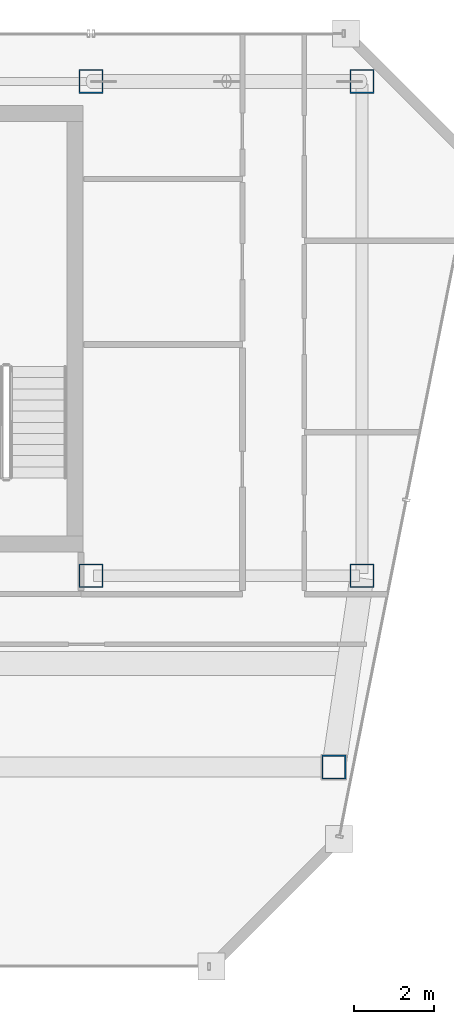
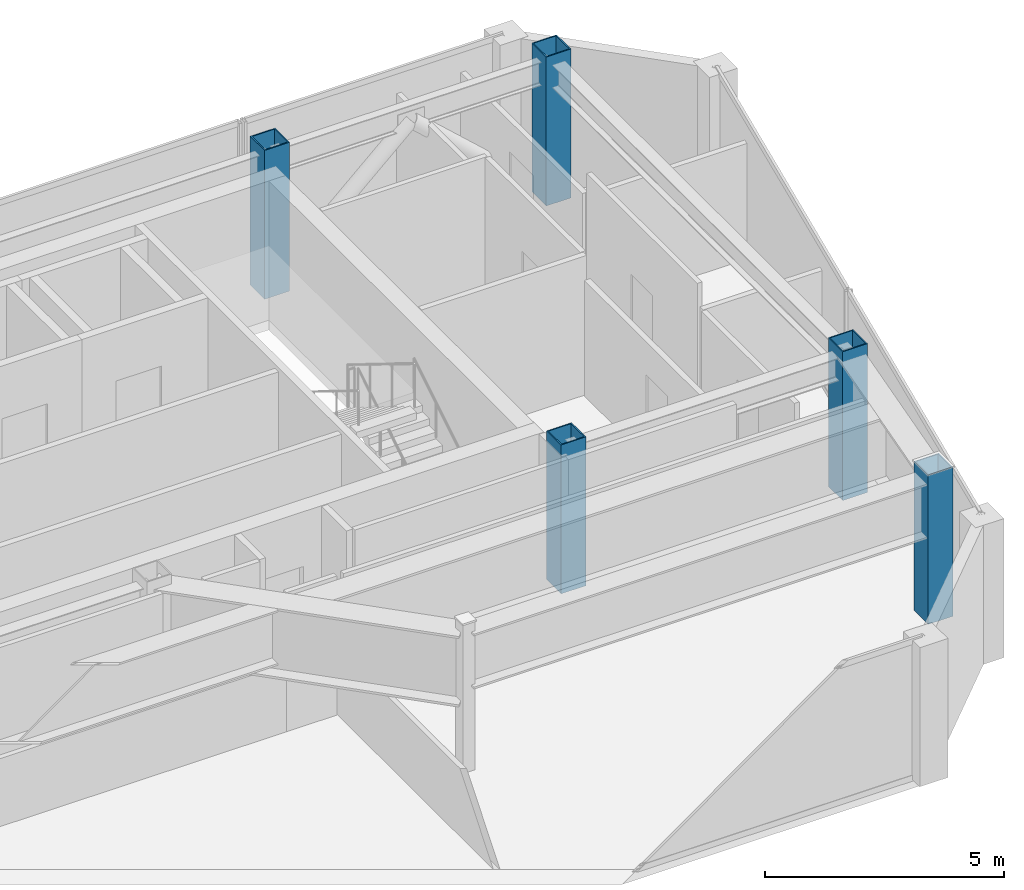
# One storey, part 2 of 24: 5 columns.
"""IFC4 building model written with IfcOpenShell, lengths in metres."""

from ifc_helpers import new_model, si_unit, direction, frame, origin, origin_2d, place, context, subcontext, project, spatial, hollow_rectangle, extrude, material, material_profile, profile_set, type_object, element, save


model = new_model("IFC4")

# Units and contexts
model_context = context("Model", 3, precision=1e-05, world=origin(), true_north=direction((0.0, 1.0)))
body_context = subcontext(model_context, "Body", "Model", "MODEL_VIEW")
ifc_project = project(units=[si_unit("LENGTHUNIT", "METRE"), si_unit("AREAUNIT", "SQUARE_METRE"), si_unit("VOLUMEUNIT", "CUBIC_METRE"), si_unit("PLANEANGLEUNIT", "RADIAN"), si_unit("MASSUNIT", "GRAM", prefix="KILO")], contexts=[model_context])

# Site, building, storey
site_placement = place(None, origin())
site = spatial("IfcSite", under=ifc_project, at=site_placement, CompositionType="ELEMENT")
building_placement = place(site_placement, origin())
building = spatial("IfcBuilding", under=site, at=building_placement, Name="Saevonmaru Cultural Tower", CompositionType="ELEMENT")
storey_placement = place(building_placement, frame((0.0, 0.0, 306.60009765625)))
storey = spatial("IfcBuildingStorey", under=building, at=storey_placement, Name="L73", CompositionType="ELEMENT", Elevation=306.60009765625)

# Columns
ifc_material = material(Name="Steel SM355", Category="steel")
ifc_material_profile = material_profile(ifc_material, hollow_rectangle(XDim=0.60009765625, YDim=0.60009765625, WallThickness=0.028076171875, at=origin_2d()), Name="BOX-600x600x28")
ifc_profile_set = profile_set([ifc_material_profile], Name="Steel SM355")
column_type = type_object("IfcColumnType", Name="COL-BOX-600", PredefinedType="COLUMN", material=ifc_profile_set)
for number, where, z_axis, x_axis, name in (
    (1, (46.39990234375, 54.800048828125, 0.0), (0.0, 0.0, 1.0), (1.0, 0.0, 0.0), "L73 Column TC-N5N"),
    (2, (53.199951171875, 54.800048828125, 0.0), (0.0, 0.0, 1.0), (1.0, 0.0, 0.0), "L73 Column TC-N6N"),
    (3, (46.39990234375, 42.39990234375, 0.0), (0.0, 0.0, 1.0), (1.0, 0.0, 0.0), "L73 Column TC-S5C"),
    (4, (53.199951171875, 42.39990234375, 0.0), (0.0, 0.0, 1.0), (1.0, 0.0, 0.0), "L73 Column TC-S6C"),
    (5, (52.491943359375, 37.60009765625, 0.0), (0.0, 0.0, 1.0), (1.0, 0.0, 0.0), "L73 Column TC-EO-Y376"),
):
    element("IfcColumn", number, at=place(storey_placement, frame(where, z_axis=z_axis, x_axis=x_axis)), inside=storey, type_object=column_type, Name=name, PredefinedType="COLUMN", context=body_context, shape_type="SweptSolid", body=[
        extrude(hollow_rectangle(XDim=0.60009765625, YDim=0.60009765625, WallThickness=0.028076171875, at=origin_2d()), origin(), (0.0, 0.0, 1.0), 3.7998046875),
    ])

save(model, "model.ifc")
